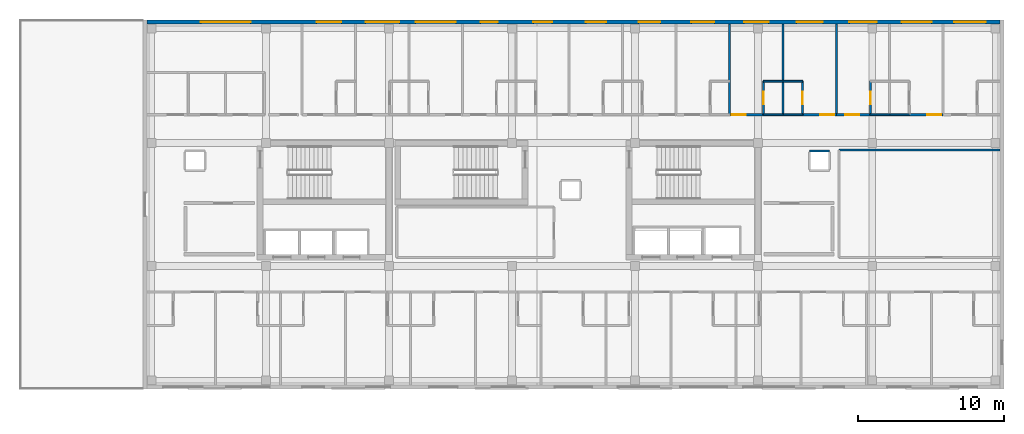
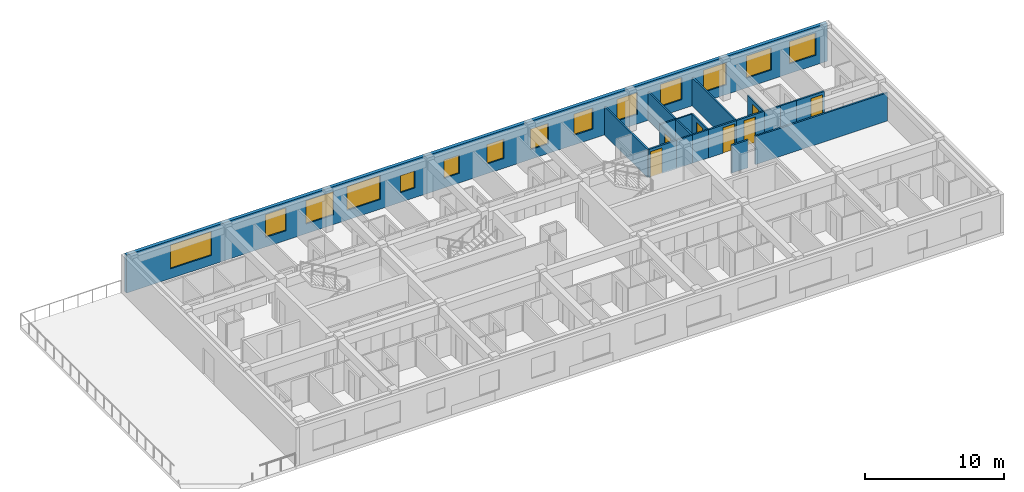
# One storey, part 7 of 10: 19 walls, 14 windows, 7 doors, 21 openings.
"""IFC4 building model written with IfcOpenShell, lengths in metres."""

from ifc_helpers import new_model, si_unit, direction, frame, frame_2d, origin, place, context, subcontext, project, spatial, rectangle, extrude, material, layer, layer_set, type_object, element, fill, save


model = new_model("IFC4")

# Units and contexts
model_context = context("Model", 3, precision=1e-05, world=origin(), true_north=direction((0.0, 1.0)))
body_context = subcontext(model_context, "Body", "Model", "MODEL_VIEW")
ifc_project = project(units=[si_unit("LENGTHUNIT", "METRE"), si_unit("AREAUNIT", "SQUARE_METRE"), si_unit("VOLUMEUNIT", "CUBIC_METRE"), si_unit("PLANEANGLEUNIT", "RADIAN"), si_unit("MASSUNIT", "GRAM", prefix="KILO")], contexts=[model_context])

# Site, building, storey
site_placement = place(None, origin())
site = spatial("IfcSite", under=ifc_project, at=site_placement, CompositionType="ELEMENT")
building_placement = place(site_placement, origin())
building = spatial("IfcBuilding", under=site, at=building_placement, Name="Zayran Congress Hotel", CompositionType="ELEMENT")
storey_placement = place(building_placement, frame((0.0, 0.0, 33.60009765625)))
storey = spatial("IfcBuildingStorey", under=building, at=storey_placement, Name="L08", CompositionType="ELEMENT", Elevation=33.60009765625)

# Wall, openings, windows
ifc_material_1 = material(Name="Hajar Ma'ani limestone cavity wall and concrete C32/40", Category="masonry")
ifc_layer_1 = layer(ifc_material_1, 0.280029296875)
ifc_layer_set_1 = layer_set([ifc_layer_1], Name="Hajar Ma'ani limestone cavity wall and concrete C32/40")
wall_type_1 = type_object("IfcWallType", Name="WL-EX-280", PredefinedType="SOLIDWALL", material=ifc_layer_set_1)
wall_1_placement = place(storey_placement, frame((17.080078125, 33.860107421875, 0.0), z_axis=(0.0, 0.0, 1.0), x_axis=(1.0, 0.0, 0.0)))
wall_1 = element("IfcWall", 1, at=wall_1_placement, inside=storey, type_object=wall_type_1, Name="EW-V5-N-L08", PredefinedType="SOLIDWALL", context=body_context, shape_type="SweptSolid", body=[
    extrude(rectangle(XDim=58.239990234375, YDim=0.280029296875, at=frame_2d((29.1201171875, 0.0))), origin(), (0.0, 0.0, 1.0), 3.33984375),
])
opening_1_placement = place(wall_1_placement, frame((3.669921875, 0.0, 0.85009765625)))
opening_1 = element("IfcOpeningElement", 2, at=opening_1_placement, cuts=wall_1, Name="Opening WN-45", PredefinedType="OPENING", context=body_context, shape_type="SweptSolid", body=[
    extrude(rectangle(XDim=3.39990234375, YDim=2.10009765625, at=frame_2d((1.699951171875, 1.050048828125))), frame((0.0, 0.14990234375, 0.0), z_axis=(0.0, -1.0, 0.0), x_axis=(1.0, 0.0, 0.0)), (0.0, 0.0, 1.0), 0.300048828125),
])
opening_2_placement = place(wall_1_placement, frame((11.573974609375, 0.0, 0.85009765625)))
opening_2 = element("IfcOpeningElement", 3, at=opening_2_placement, cuts=wall_1, Name="Opening WN-27", PredefinedType="OPENING", context=body_context, shape_type="SweptSolid", body=[
    extrude(rectangle(XDim=1.699951171875, YDim=2.0, at=frame_2d((0.85009765625, 1.0))), frame((0.0, 0.14990234375, 0.0), z_axis=(0.0, -1.0, 0.0), x_axis=(1.0, 0.0, 0.0)), (0.0, 0.0, 1.0), 0.300048828125),
])
opening_3_placement = place(wall_1_placement, frame((14.9208984375, 0.0, 0.85009765625)))
opening_3 = element("IfcOpeningElement", 4, at=opening_3_placement, cuts=wall_1, Name="Opening WN-28", PredefinedType="OPENING", context=body_context, shape_type="SweptSolid", body=[
    extrude(rectangle(XDim=2.300048828125, YDim=2.050048828125, at=frame_2d((1.14990234375, 1.02490234375))), frame((0.0, 0.14990234375, 0.0), z_axis=(0.0, -1.0, 0.0), x_axis=(1.0, 0.0, 0.0)), (0.0, 0.0, 1.0), 0.300048828125),
])
opening_4_placement = place(wall_1_placement, frame((18.343994140625, 0.0, 0.85009765625)))
opening_4 = element("IfcOpeningElement", 5, at=opening_4_placement, cuts=wall_1, Name="Opening WN-29", PredefinedType="OPENING", context=body_context, shape_type="SweptSolid", body=[
    extrude(rectangle(XDim=2.75, YDim=2.10009765625, at=frame_2d((1.375, 1.050048828125))), frame((0.0, 0.14990234375, 0.0), z_axis=(0.0, -1.0, 0.0), x_axis=(1.0, 0.0, 0.0)), (0.0, 0.0, 1.0), 0.300048828125),
])
opening_5_placement = place(wall_1_placement, frame((22.777099609375, 0.0, 0.85009765625)))
opening_5 = element("IfcOpeningElement", 6, at=opening_5_placement, cuts=wall_1, Name="Opening WN-31", PredefinedType="OPENING", context=body_context, shape_type="SweptSolid", body=[
    extrude(rectangle(XDim=1.179931640625, YDim=1.5, at=frame_2d((0.58984375, 0.75))), frame((0.0, 0.14990234375, 0.0), z_axis=(0.0, -1.0, 0.0), x_axis=(1.0, 0.0, 0.0)), (0.0, 0.0, 1.0), 0.300048828125),
])
opening_6_placement = place(wall_1_placement, frame((26.3740234375, 0.0, 0.85009765625)))
opening_6 = element("IfcOpeningElement", 7, at=opening_6_placement, cuts=wall_1, Name="Opening WN-32", PredefinedType="OPENING", context=body_context, shape_type="SweptSolid", body=[
    extrude(rectangle(XDim=1.280029296875, YDim=1.60009765625, at=frame_2d((0.64013671875, 0.800048828125))), frame((0.0, 0.14990234375, 0.0), z_axis=(0.0, -1.0, 0.0), x_axis=(1.0, 0.0, 0.0)), (0.0, 0.0, 1.0), 0.300048828125),
])
opening_7_placement = place(wall_1_placement, frame((29.971923828125, 0.0, 0.85009765625)))
opening_7 = element("IfcOpeningElement", 8, at=opening_7_placement, cuts=wall_1, Name="Opening WN-33", PredefinedType="OPENING", context=body_context, shape_type="SweptSolid", body=[
    extrude(rectangle(XDim=1.3798828125, YDim=1.699951171875, at=frame_2d((0.68994140625, 0.85009765625))), frame((0.0, 0.14990234375, 0.0), z_axis=(0.0, -1.0, 0.0), x_axis=(1.0, 0.0, 0.0)), (0.0, 0.0, 1.0), 0.300048828125),
])
opening_8_placement = place(wall_1_placement, frame((33.570068359375, 0.0, 0.85009765625)))
opening_8 = element("IfcOpeningElement", 9, at=opening_8_placement, cuts=wall_1, Name="Opening WN-34", PredefinedType="OPENING", context=body_context, shape_type="SweptSolid", body=[
    extrude(rectangle(XDim=1.47998046875, YDim=1.800048828125, at=frame_2d((0.739990234375, 0.89990234375))), frame((0.0, 0.14990234375, 0.0), z_axis=(0.0, -1.0, 0.0), x_axis=(1.0, 0.0, 0.0)), (0.0, 0.0, 1.0), 0.300048828125),
])
opening_9_placement = place(wall_1_placement, frame((37.16796875, 0.0, 0.85009765625)))
opening_9 = element("IfcOpeningElement", 10, at=opening_9_placement, cuts=wall_1, Name="Opening WN-35", PredefinedType="OPENING", context=body_context, shape_type="SweptSolid", body=[
    extrude(rectangle(XDim=1.580078125, YDim=1.85009765625, at=frame_2d((0.7900390625, 0.925048828125))), frame((0.0, 0.14990234375, 0.0), z_axis=(0.0, -1.0, 0.0), x_axis=(1.0, 0.0, 0.0)), (0.0, 0.0, 1.0), 0.300048828125),
])
opening_10_placement = place(wall_1_placement, frame((40.76611328125, 0.0, 0.85009765625)))
opening_10 = element("IfcOpeningElement", 11, at=opening_10_placement, cuts=wall_1, Name="Opening WN-36", PredefinedType="OPENING", context=body_context, shape_type="SweptSolid", body=[
    extrude(rectangle(XDim=1.679931640625, YDim=1.89990234375, at=frame_2d((0.83984375, 0.949951171875))), frame((0.0, 0.14990234375, 0.0), z_axis=(0.0, -1.0, 0.0), x_axis=(1.0, 0.0, 0.0)), (0.0, 0.0, 1.0), 0.300048828125),
])
opening_11_placement = place(wall_1_placement, frame((44.363037109375, 0.0, 0.85009765625)))
opening_11 = element("IfcOpeningElement", 12, at=opening_11_placement, cuts=wall_1, Name="Opening WN-37", PredefinedType="OPENING", context=body_context, shape_type="SweptSolid", body=[
    extrude(rectangle(XDim=1.780029296875, YDim=1.949951171875, at=frame_2d((0.89013671875, 0.97509765625))), frame((0.0, 0.14990234375, 0.0), z_axis=(0.0, -1.0, 0.0), x_axis=(1.0, 0.0, 0.0)), (0.0, 0.0, 1.0), 0.300048828125),
])
opening_12_placement = place(wall_1_placement, frame((47.9609375, 0.0, 0.85009765625)))
opening_12 = element("IfcOpeningElement", 13, at=opening_12_placement, cuts=wall_1, Name="Opening WN-38", PredefinedType="OPENING", context=body_context, shape_type="SweptSolid", body=[
    extrude(rectangle(XDim=1.8798828125, YDim=1.949951171875, at=frame_2d((0.93994140625, 0.97509765625))), frame((0.0, 0.14990234375, 0.0), z_axis=(0.0, -1.0, 0.0), x_axis=(1.0, 0.0, 0.0)), (0.0, 0.0, 1.0), 0.300048828125),
])
opening_13_placement = place(wall_1_placement, frame((51.52392578125, 0.0, 0.85009765625)))
opening_13 = element("IfcOpeningElement", 14, at=opening_13_placement, cuts=wall_1, Name="Opening WN-39", PredefinedType="OPENING", context=body_context, shape_type="SweptSolid", body=[
    extrude(rectangle(XDim=2.050048828125, YDim=1.949951171875, at=frame_2d((1.02490234375, 0.97509765625))), frame((0.0, 0.14990234375, 0.0), z_axis=(0.0, -1.0, 0.0), x_axis=(1.0, 0.0, 0.0)), (0.0, 0.0, 1.0), 0.300048828125),
])
opening_14_placement = place(wall_1_placement, frame((55.10595703125, 0.0, 0.85009765625)))
opening_14 = element("IfcOpeningElement", 15, at=opening_14_placement, cuts=wall_1, Name="Opening WN-40", PredefinedType="OPENING", context=body_context, shape_type="SweptSolid", body=[
    extrude(rectangle(XDim=2.179931640625, YDim=1.949951171875, at=frame_2d((1.08984375, 0.97509765625))), frame((0.0, 0.14990234375, 0.0), z_axis=(0.0, -1.0, 0.0), x_axis=(1.0, 0.0, 0.0)), (0.0, 0.0, 1.0), 0.300048828125),
])
ifc_material_2 = material(Name="Anodised aluminium and low-E insulated glass", Category="aluminium")
window_type_1 = type_object("IfcWindowType", Name="TP-WN-27", PartitioningType="DOUBLE_PANEL_VERTICAL", PredefinedType="WINDOW", material=ifc_material_2)
window_1_placement = place(opening_2_placement, origin())
window_1 = element("IfcWindow", 16, at=window_1_placement, inside=storey, type_object=window_type_1, Name="WIN-V5N-L08-0404", OverallHeight=2.0, OverallWidth=1.699951171875, PartitioningType="SINGLE_PANEL", PredefinedType="WINDOW", context=body_context, shape_type="SweptSolid", body=[
    extrude(rectangle(XDim=1.699951171875, YDim=2.0, at=frame_2d((0.85009765625, 1.0))), frame((0.0, 0.030029296875, 0.0), z_axis=(0.0, -1.0, 0.0), x_axis=(1.0, 0.0, 0.0)), (0.0, 0.0, 1.0), 0.06005859375),
])
fill(opening_2, window_1)
window_type_2 = type_object("IfcWindowType", Name="TP-WN-28", PartitioningType="DOUBLE_PANEL_VERTICAL", PredefinedType="WINDOW", material=ifc_material_2)
window_2_placement = place(opening_3_placement, origin())
window_2 = element("IfcWindow", 17, at=window_2_placement, inside=storey, type_object=window_type_2, Name="WIN-V5N-L08-0405", OverallHeight=2.050048828125, OverallWidth=2.300048828125, PartitioningType="SINGLE_PANEL", PredefinedType="WINDOW", context=body_context, shape_type="SweptSolid", body=[
    extrude(rectangle(XDim=2.300048828125, YDim=2.050048828125, at=frame_2d((1.14990234375, 1.02490234375))), frame((0.0, 0.030029296875, 0.0), z_axis=(0.0, -1.0, 0.0), x_axis=(1.0, 0.0, 0.0)), (0.0, 0.0, 1.0), 0.06005859375),
])
fill(opening_3, window_2)
window_type_3 = type_object("IfcWindowType", Name="TP-WN-29", PartitioningType="TRIPLE_PANEL_VERTICAL", PredefinedType="WINDOW", material=ifc_material_2)
window_3_placement = place(opening_4_placement, origin())
window_3 = element("IfcWindow", 18, at=window_3_placement, inside=storey, type_object=window_type_3, Name="WIN-V5N-L08-0406", OverallHeight=2.10009765625, OverallWidth=2.75, PartitioningType="SINGLE_PANEL", PredefinedType="WINDOW", context=body_context, shape_type="SweptSolid", body=[
    extrude(rectangle(XDim=2.75, YDim=2.10009765625, at=frame_2d((1.375, 1.050048828125))), frame((0.0, 0.030029296875, 0.0), z_axis=(0.0, -1.0, 0.0), x_axis=(1.0, 0.0, 0.0)), (0.0, 0.0, 1.0), 0.06005859375),
])
fill(opening_4, window_3)
window_type_4 = type_object("IfcWindowType", Name="TP-WN-31", PartitioningType="SINGLE_PANEL", PredefinedType="WINDOW", material=ifc_material_2)
window_4_placement = place(opening_5_placement, origin())
window_4 = element("IfcWindow", 19, at=window_4_placement, inside=storey, type_object=window_type_4, Name="WIN-V5N-L08-0407", OverallHeight=1.5, OverallWidth=1.179931640625, PartitioningType="SINGLE_PANEL", PredefinedType="WINDOW", context=body_context, shape_type="SweptSolid", body=[
    extrude(rectangle(XDim=1.179931640625, YDim=1.5, at=frame_2d((0.58984375, 0.75))), frame((0.0, 0.030029296875, 0.0), z_axis=(0.0, -1.0, 0.0), x_axis=(1.0, 0.0, 0.0)), (0.0, 0.0, 1.0), 0.06005859375),
])
fill(opening_5, window_4)
window_type_5 = type_object("IfcWindowType", Name="TP-WN-32", PartitioningType="SINGLE_PANEL", PredefinedType="WINDOW", material=ifc_material_2)
window_5_placement = place(opening_6_placement, origin())
window_5 = element("IfcWindow", 20, at=window_5_placement, inside=storey, type_object=window_type_5, Name="WIN-V5N-L08-0408", OverallHeight=1.60009765625, OverallWidth=1.280029296875, PartitioningType="SINGLE_PANEL", PredefinedType="WINDOW", context=body_context, shape_type="SweptSolid", body=[
    extrude(rectangle(XDim=1.280029296875, YDim=1.60009765625, at=frame_2d((0.64013671875, 0.800048828125))), frame((0.0, 0.030029296875, 0.0), z_axis=(0.0, -1.0, 0.0), x_axis=(1.0, 0.0, 0.0)), (0.0, 0.0, 1.0), 0.06005859375),
])
fill(opening_6, window_5)
window_type_6 = type_object("IfcWindowType", Name="TP-WN-33", PartitioningType="SINGLE_PANEL", PredefinedType="WINDOW", material=ifc_material_2)
window_6_placement = place(opening_7_placement, origin())
window_6 = element("IfcWindow", 21, at=window_6_placement, inside=storey, type_object=window_type_6, Name="WIN-V5N-L08-0409", OverallHeight=1.699951171875, OverallWidth=1.3798828125, PartitioningType="SINGLE_PANEL", PredefinedType="WINDOW", context=body_context, shape_type="SweptSolid", body=[
    extrude(rectangle(XDim=1.3798828125, YDim=1.699951171875, at=frame_2d((0.68994140625, 0.85009765625))), frame((0.0, 0.030029296875, 0.0), z_axis=(0.0, -1.0, 0.0), x_axis=(1.0, 0.0, 0.0)), (0.0, 0.0, 1.0), 0.06005859375),
])
fill(opening_7, window_6)
window_type_7 = type_object("IfcWindowType", Name="TP-WN-34", PartitioningType="SINGLE_PANEL", PredefinedType="WINDOW", material=ifc_material_2)
window_7_placement = place(opening_8_placement, origin())
window_7 = element("IfcWindow", 22, at=window_7_placement, inside=storey, type_object=window_type_7, Name="WIN-V5N-L08-0410", OverallHeight=1.800048828125, OverallWidth=1.47998046875, PartitioningType="SINGLE_PANEL", PredefinedType="WINDOW", context=body_context, shape_type="SweptSolid", body=[
    extrude(rectangle(XDim=1.47998046875, YDim=1.800048828125, at=frame_2d((0.739990234375, 0.89990234375))), frame((0.0, 0.030029296875, 0.0), z_axis=(0.0, -1.0, 0.0), x_axis=(1.0, 0.0, 0.0)), (0.0, 0.0, 1.0), 0.06005859375),
])
fill(opening_8, window_7)
window_type_8 = type_object("IfcWindowType", Name="TP-WN-35", PartitioningType="DOUBLE_PANEL_VERTICAL", PredefinedType="WINDOW", material=ifc_material_2)
window_8_placement = place(opening_9_placement, origin())
window_8 = element("IfcWindow", 23, at=window_8_placement, inside=storey, type_object=window_type_8, Name="WIN-V5N-L08-0411", OverallHeight=1.85009765625, OverallWidth=1.580078125, PartitioningType="SINGLE_PANEL", PredefinedType="WINDOW", context=body_context, shape_type="SweptSolid", body=[
    extrude(rectangle(XDim=1.580078125, YDim=1.85009765625, at=frame_2d((0.7900390625, 0.925048828125))), frame((0.0, 0.030029296875, 0.0), z_axis=(0.0, -1.0, 0.0), x_axis=(1.0, 0.0, 0.0)), (0.0, 0.0, 1.0), 0.06005859375),
])
fill(opening_9, window_8)
window_type_9 = type_object("IfcWindowType", Name="TP-WN-36", PartitioningType="DOUBLE_PANEL_VERTICAL", PredefinedType="WINDOW", material=ifc_material_2)
window_9_placement = place(opening_10_placement, origin())
window_9 = element("IfcWindow", 24, at=window_9_placement, inside=storey, type_object=window_type_9, Name="WIN-V5N-L08-0412", OverallHeight=1.89990234375, OverallWidth=1.679931640625, PartitioningType="SINGLE_PANEL", PredefinedType="WINDOW", context=body_context, shape_type="SweptSolid", body=[
    extrude(rectangle(XDim=1.679931640625, YDim=1.89990234375, at=frame_2d((0.83984375, 0.949951171875))), frame((0.0, 0.030029296875, 0.0), z_axis=(0.0, -1.0, 0.0), x_axis=(1.0, 0.0, 0.0)), (0.0, 0.0, 1.0), 0.06005859375),
])
fill(opening_10, window_9)
window_type_10 = type_object("IfcWindowType", Name="TP-WN-37", PartitioningType="DOUBLE_PANEL_VERTICAL", PredefinedType="WINDOW", material=ifc_material_2)
window_10_placement = place(opening_11_placement, origin())
window_10 = element("IfcWindow", 25, at=window_10_placement, inside=storey, type_object=window_type_10, Name="WIN-V5N-L08-0413", OverallHeight=1.949951171875, OverallWidth=1.780029296875, PartitioningType="SINGLE_PANEL", PredefinedType="WINDOW", context=body_context, shape_type="SweptSolid", body=[
    extrude(rectangle(XDim=1.780029296875, YDim=1.949951171875, at=frame_2d((0.89013671875, 0.97509765625))), frame((0.0, 0.030029296875, 0.0), z_axis=(0.0, -1.0, 0.0), x_axis=(1.0, 0.0, 0.0)), (0.0, 0.0, 1.0), 0.06005859375),
])
fill(opening_11, window_10)
window_type_11 = type_object("IfcWindowType", Name="TP-WN-38", PartitioningType="DOUBLE_PANEL_VERTICAL", PredefinedType="WINDOW", material=ifc_material_2)
window_11_placement = place(opening_12_placement, origin())
window_11 = element("IfcWindow", 26, at=window_11_placement, inside=storey, type_object=window_type_11, Name="WIN-V5N-L08-0414", OverallHeight=1.949951171875, OverallWidth=1.8798828125, PartitioningType="SINGLE_PANEL", PredefinedType="WINDOW", context=body_context, shape_type="SweptSolid", body=[
    extrude(rectangle(XDim=1.8798828125, YDim=1.949951171875, at=frame_2d((0.93994140625, 0.97509765625))), frame((0.0, 0.030029296875, 0.0), z_axis=(0.0, -1.0, 0.0), x_axis=(1.0, 0.0, 0.0)), (0.0, 0.0, 1.0), 0.06005859375),
])
fill(opening_12, window_11)
window_type_12 = type_object("IfcWindowType", Name="TP-WN-39", PartitioningType="DOUBLE_PANEL_VERTICAL", PredefinedType="WINDOW", material=ifc_material_2)
window_12_placement = place(opening_13_placement, origin())
window_12 = element("IfcWindow", 27, at=window_12_placement, inside=storey, type_object=window_type_12, Name="WIN-V5N-L08-0415", OverallHeight=1.949951171875, OverallWidth=2.050048828125, PartitioningType="SINGLE_PANEL", PredefinedType="WINDOW", context=body_context, shape_type="SweptSolid", body=[
    extrude(rectangle(XDim=2.050048828125, YDim=1.949951171875, at=frame_2d((1.02490234375, 0.97509765625))), frame((0.0, 0.030029296875, 0.0), z_axis=(0.0, -1.0, 0.0), x_axis=(1.0, 0.0, 0.0)), (0.0, 0.0, 1.0), 0.06005859375),
])
fill(opening_13, window_12)
window_type_13 = type_object("IfcWindowType", Name="TP-WN-40", PartitioningType="DOUBLE_PANEL_VERTICAL", PredefinedType="WINDOW", material=ifc_material_2)
window_13_placement = place(opening_14_placement, origin())
window_13 = element("IfcWindow", 28, at=window_13_placement, inside=storey, type_object=window_type_13, Name="WIN-V5N-L08-0416", OverallHeight=1.949951171875, OverallWidth=2.179931640625, PartitioningType="SINGLE_PANEL", PredefinedType="WINDOW", context=body_context, shape_type="SweptSolid", body=[
    extrude(rectangle(XDim=2.179931640625, YDim=1.949951171875, at=frame_2d((1.08984375, 0.97509765625))), frame((0.0, 0.030029296875, 0.0), z_axis=(0.0, -1.0, 0.0), x_axis=(1.0, 0.0, 0.0)), (0.0, 0.0, 1.0), 0.06005859375),
])
fill(opening_14, window_13)
window_type_14 = type_object("IfcWindowType", Name="TP-WN-45", PartitioningType="TRIPLE_PANEL_VERTICAL", PredefinedType="WINDOW", material=ifc_material_2)
window_14_placement = place(opening_1_placement, origin())
window_14 = element("IfcWindow", 29, at=window_14_placement, inside=storey, type_object=window_type_14, Name="WIN-V5N-L08-0403", OverallHeight=2.10009765625, OverallWidth=3.39990234375, PartitioningType="SINGLE_PANEL", PredefinedType="WINDOW", context=body_context, shape_type="SweptSolid", body=[
    extrude(rectangle(XDim=3.39990234375, YDim=2.10009765625, at=frame_2d((1.699951171875, 1.050048828125))), frame((0.0, 0.030029296875, 0.0), z_axis=(0.0, -1.0, 0.0), x_axis=(1.0, 0.0, 0.0)), (0.0, 0.0, 1.0), 0.06005859375),
])
fill(opening_1, window_14)

# Wall, opening, door
ifc_material_3 = material(Name="Hospitality guestroom acoustic partition", Category="gypsum")
ifc_layer_2 = layer(ifc_material_3, 0.139892578125)
ifc_layer_set_2 = layer_set([ifc_layer_2], Name="Hospitality guestroom acoustic partition")
wall_type_2 = type_object("IfcWallType", Name="WL-PT-140", PredefinedType="PARTITIONING", material=ifc_layer_set_2)
wall_2_placement = place(storey_placement, frame((56.8720703125, 27.530029296875, 0.0), z_axis=(0.0, 0.0, 1.0), x_axis=(1.0, 0.0, 0.0)))
wall_2 = element("IfcWall", 30, at=wall_2_placement, inside=storey, type_object=wall_type_2, Name="IW-L08-0779", PredefinedType="PARTITIONING", context=body_context, shape_type="SweptSolid", body=[
    extrude(rectangle(XDim=2.306884765625, YDim=0.139892578125, at=frame_2d((1.1533203125, 0.0))), origin(), (0.0, 0.0, 1.0), 2.47998046875),
])
opening_15_placement = place(wall_2_placement, frame((0.139892578125, 0.0, 0.0)))
opening_15 = element("IfcOpeningElement", 31, at=opening_15_placement, cuts=wall_2, Name="Opening DR-GR-03", PredefinedType="OPENING", context=body_context, shape_type="SweptSolid", body=[
    extrude(rectangle(XDim=0.9599609375, YDim=2.25, at=frame_2d((0.47998046875, 1.125))), frame((0.0, 0.079833984375, 0.0), z_axis=(0.0, -1.0, 0.0), x_axis=(1.0, 0.0, 0.0)), (0.0, 0.0, 1.0), 0.159912109375),
])
ifc_material_4 = material(Name="Executive walnut veneer entry door", Category="wood")
door_type_1 = type_object("IfcDoorType", Name="TP-DR-GR-03", OperationType="NOTDEFINED", PredefinedType="DOOR", material=ifc_material_4)
door_1_placement = place(opening_15_placement, origin())
door_1 = element("IfcDoor", 32, at=door_1_placement, inside=storey, type_object=door_type_1, Name="Guest Room L08-22 Door", OperationType="SINGLE_SWING_RIGHT", OverallHeight=2.25, OverallWidth=0.9599609375, PredefinedType="DOOR", context=body_context, shape_type="SweptSolid", body=[
    extrude(rectangle(XDim=0.9599609375, YDim=2.25, at=frame_2d((0.47998046875, 1.125))), frame((0.0, 0.02490234375, 0.0), z_axis=(0.0, -1.0, 0.0), x_axis=(1.0, 0.0, 0.0)), (0.0, 0.0, 1.0), 0.050048828125),
])
fill(opening_15, door_1)

wall_3_placement = place(storey_placement, frame((61.839111328125, 27.530029296875, 0.0), z_axis=(0.0, 0.0, 1.0), x_axis=(1.0, 0.0, 0.0)))
wall_3 = element("IfcWall", 33, at=wall_3_placement, inside=storey, type_object=wall_type_2, Name="IW-L08-0780", PredefinedType="PARTITIONING", context=body_context, shape_type="SweptSolid", body=[
    extrude(rectangle(XDim=2.307861328125, YDim=0.139892578125, at=frame_2d((1.15380859375, 0.0))), origin(), (0.0, 0.0, 1.0), 2.47998046875),
])
opening_16_placement = place(wall_3_placement, frame((1.2080078125, 0.0, 0.0)))
opening_16 = element("IfcOpeningElement", 34, at=opening_16_placement, cuts=wall_3, Name="Opening DR-GR-03", PredefinedType="OPENING", context=body_context, shape_type="SweptSolid", body=[
    extrude(rectangle(XDim=0.9599609375, YDim=2.25, at=frame_2d((0.47998046875, 1.125))), frame((0.0, 0.079833984375, 0.0), z_axis=(0.0, -1.0, 0.0), x_axis=(1.0, 0.0, 0.0)), (0.0, 0.0, 1.0), 0.159912109375),
])
door_2_placement = place(opening_16_placement, origin())
door_2 = element("IfcDoor", 35, at=door_2_placement, inside=storey, type_object=door_type_1, Name="Guest Room L08-23 Door", OperationType="SINGLE_SWING_LEFT", OverallHeight=2.25, OverallWidth=0.9599609375, PredefinedType="DOOR", context=body_context, shape_type="SweptSolid", body=[
    extrude(rectangle(XDim=0.9599609375, YDim=2.25, at=frame_2d((0.47998046875, 1.125))), frame((0.0, 0.02490234375, 0.0), z_axis=(0.0, -1.0, 0.0), x_axis=(1.0, 0.0, 0.0)), (0.0, 0.0, 1.0), 0.050048828125),
])
fill(opening_16, door_2)

wall_4_placement = place(storey_placement, frame((64.1669921875, 27.530029296875, 0.0), z_axis=(0.0, 0.0, 1.0), x_axis=(1.0, 0.0, 0.0)))
wall_4 = element("IfcWall", 36, at=wall_4_placement, inside=storey, type_object=wall_type_2, Name="IW-L08-0781", PredefinedType="PARTITIONING", context=body_context, shape_type="SweptSolid", body=[
    extrude(rectangle(XDim=2.30810546875, YDim=0.139892578125, at=frame_2d((1.154052734375, 0.0))), origin(), (0.0, 0.0, 1.0), 2.47998046875),
])
opening_17_placement = place(wall_4_placement, frame((0.597900390625, 0.0, 0.0)))
opening_17 = element("IfcOpeningElement", 37, at=opening_17_placement, cuts=wall_4, Name="Opening DR-GR-03", PredefinedType="OPENING", context=body_context, shape_type="SweptSolid", body=[
    extrude(rectangle(XDim=0.9599609375, YDim=2.25, at=frame_2d((0.47998046875, 1.125))), frame((0.0, 0.079833984375, 0.0), z_axis=(0.0, -1.0, 0.0), x_axis=(1.0, 0.0, 0.0)), (0.0, 0.0, 1.0), 0.159912109375),
])
door_3_placement = place(opening_17_placement, origin())
door_3 = element("IfcDoor", 38, at=door_3_placement, inside=storey, type_object=door_type_1, Name="Guest Room L08-24 Door", OperationType="SINGLE_SWING_RIGHT", OverallHeight=2.25, OverallWidth=0.9599609375, PredefinedType="DOOR", context=body_context, shape_type="SweptSolid", body=[
    extrude(rectangle(XDim=0.9599609375, YDim=2.25, at=frame_2d((0.47998046875, 1.125))), frame((0.0, 0.02490234375, 0.0), z_axis=(0.0, -1.0, 0.0), x_axis=(1.0, 0.0, 0.0)), (0.0, 0.0, 1.0), 0.050048828125),
])
fill(opening_17, door_3)

wall_5_placement = place(storey_placement, frame((69.135009765625, 27.530029296875, 0.0), z_axis=(0.0, 0.0, 1.0), x_axis=(1.0, 0.0, 0.0)))
wall_5 = element("IfcWall", 39, at=wall_5_placement, inside=storey, type_object=wall_type_2, Name="IW-L08-0782", PredefinedType="PARTITIONING", context=body_context, shape_type="SweptSolid", body=[
    extrude(rectangle(XDim=2.306884765625, YDim=0.139892578125, at=frame_2d((1.1533203125, 0.0))), origin(), (0.0, 0.0, 1.0), 2.47998046875),
])
opening_18_placement = place(wall_5_placement, frame((1.20703125, 0.0, 0.0)))
opening_18 = element("IfcOpeningElement", 40, at=opening_18_placement, cuts=wall_5, Name="Opening DR-GR-03", PredefinedType="OPENING", context=body_context, shape_type="SweptSolid", body=[
    extrude(rectangle(XDim=0.9599609375, YDim=2.25, at=frame_2d((0.47998046875, 1.125))), frame((0.0, 0.079833984375, 0.0), z_axis=(0.0, -1.0, 0.0), x_axis=(1.0, 0.0, 0.0)), (0.0, 0.0, 1.0), 0.159912109375),
])
door_4_placement = place(opening_18_placement, origin())
door_4 = element("IfcDoor", 41, at=door_4_placement, inside=storey, type_object=door_type_1, Name="Guest Room L08-25 Door", OperationType="SINGLE_SWING_LEFT", OverallHeight=2.25, OverallWidth=0.9599609375, PredefinedType="DOOR", context=body_context, shape_type="SweptSolid", body=[
    extrude(rectangle(XDim=0.9599609375, YDim=2.25, at=frame_2d((0.47998046875, 1.125))), frame((0.0, 0.02490234375, 0.0), z_axis=(0.0, -1.0, 0.0), x_axis=(1.0, 0.0, 0.0)), (0.0, 0.0, 1.0), 0.050048828125),
])
fill(opening_18, door_4)

# Walls
wall_6_placement = place(storey_placement, frame((64.320068359375, 25.1201171875, 0.0), z_axis=(0.0, 0.0, 1.0), x_axis=(1.0, 0.0, 0.0)))
element("IfcWall", 42, at=wall_6_placement, inside=storey, type_object=wall_type_2, Name="IW-L08-2089", PredefinedType="PARTITIONING", context=body_context, shape_type="SweptSolid", body=[
    extrude(rectangle(XDim=11.0, YDim=0.139892578125, at=frame_2d((5.5, 0.0))), origin(), (0.0, 0.0, 1.0), 2.47998046875),
])
for number, where, z_axis, x_axis, name in (
    (43, (56.85205078125, 27.52001953125, 0.0), (0.0, 0.0, 1.0), (0.0, 1.0, 0.0), "IW-L08-2112"),
    (44, (60.4990234375, 27.52001953125, 0.0), (0.0, 0.0, 1.0), (0.0, 1.0, 0.0), "IW-L08-2113"),
    (45, (64.14697265625, 27.52001953125, 0.0), (0.0, 0.0, 1.0), (0.0, 1.0, 0.0), "IW-L08-2114"),
):
    element("IfcWall", number, at=place(storey_placement, frame(where, z_axis=z_axis, x_axis=x_axis)), inside=storey, type_object=wall_type_2, Name=name, PredefinedType="PARTITIONING", context=body_context, shape_type="SweptSolid", body=[
        extrude(rectangle(XDim=6.199951171875, YDim=0.139892578125, at=frame_2d((3.10009765625, 0.0))), origin(), (0.0, 0.0, 1.0), 2.47998046875),
    ])
wall_7_placement = place(storey_placement, frame((63.68994140625, 25.050048828125, 0.0), z_axis=(0.0, 0.0, 1.0), x_axis=(-1.0, 0.0, 0.0)))
element("IfcWall", 46, at=wall_7_placement, inside=storey, type_object=wall_type_2, Name="RSWL-V5-L08-049-N", PredefinedType="PARTITIONING", context=body_context, shape_type="SweptSolid", body=[
    extrude(rectangle(XDim=1.35986328125, YDim=0.139892578125, at=frame_2d((0.679931640625, 0.0))), origin(), (0.0, 0.0, 1.0), 2.43994140625),
])

# Wall, opening, door
ifc_material_5 = material(Name="Moisture-resistant bathroom partition", Category="gypsum")
ifc_layer_3 = layer(ifc_material_5, 0.1201171875)
ifc_layer_set_3 = layer_set([ifc_layer_3], Name="Moisture-resistant bathroom partition")
wall_type_3 = type_object("IfcWallType", Name="WL-PT-120", PredefinedType="PARTITIONING", material=ifc_layer_set_3)
wall_8_placement = place(storey_placement, frame((59.178955078125, 27.52001953125, 0.0), z_axis=(0.0, 0.0, 1.0), x_axis=(0.0, 1.0, 0.0)))
wall_8 = element("IfcWall", 47, at=wall_8_placement, inside=storey, type_object=wall_type_3, Name="IW-L08-0266", PredefinedType="PARTITIONING", context=body_context, shape_type="SweptSolid", body=[
    extrude(rectangle(XDim=2.31005859375, YDim=0.1201171875, at=frame_2d((1.155029296875, 0.0))), origin(), (0.0, 0.0, 1.0), 2.47998046875),
])
opening_19_placement = place(wall_8_placement, frame((0.715087890625, 0.0, 0.0)))
opening_19 = element("IfcOpeningElement", 48, at=opening_19_placement, cuts=wall_8, Name="Opening DR-BT-01", PredefinedType="OPENING", context=body_context, shape_type="SweptSolid", body=[
    extrude(rectangle(XDim=0.8798828125, YDim=2.14990234375, at=frame_2d((0.43994140625, 1.074951171875))), frame((0.0, 0.070068359375, 0.0), z_axis=(0.0, -1.0, 0.0), x_axis=(1.0, 0.0, 0.0)), (0.0, 0.0, 1.0), 0.14013671875),
])
ifc_material_6 = material(Name="Moisture-resistant oak en-suite door", Category="wood")
door_type_2 = type_object("IfcDoorType", Name="TP-DR-BT-01", OperationType="NOTDEFINED", PredefinedType="DOOR", material=ifc_material_6)
door_5_placement = place(opening_19_placement, origin())
door_5 = element("IfcDoor", 49, at=door_5_placement, inside=storey, type_object=door_type_2, Name="En-Suite Bathroom L08-22 Door", OperationType="SINGLE_SWING_LEFT", OverallHeight=2.14990234375, OverallWidth=0.8798828125, PredefinedType="DOOR", context=body_context, shape_type="SweptSolid", body=[
    extrude(rectangle(XDim=0.8798828125, YDim=2.14990234375, at=frame_2d((0.43994140625, 1.074951171875))), frame((0.0, 0.02490234375, 0.0), z_axis=(0.0, -1.0, 0.0), x_axis=(1.0, 0.0, 0.0)), (0.0, 0.0, 1.0), 0.050048828125),
])
fill(opening_19, door_5)

wall_9_placement = place(storey_placement, frame((61.839111328125, 27.52001953125, 0.0), z_axis=(0.0, 0.0, 1.0), x_axis=(0.0, 1.0, 0.0)))
wall_9 = element("IfcWall", 50, at=wall_9_placement, inside=storey, type_object=wall_type_3, Name="IW-L08-0267", PredefinedType="PARTITIONING", context=body_context, shape_type="SweptSolid", body=[
    extrude(rectangle(XDim=2.31005859375, YDim=0.1201171875, at=frame_2d((1.155029296875, 0.0))), origin(), (0.0, 0.0, 1.0), 2.47998046875),
])
opening_20_placement = place(wall_9_placement, frame((0.715087890625, 0.0, 0.0)))
opening_20 = element("IfcOpeningElement", 51, at=opening_20_placement, cuts=wall_9, Name="Opening DR-BT-01", PredefinedType="OPENING", context=body_context, shape_type="SweptSolid", body=[
    extrude(rectangle(XDim=0.8798828125, YDim=2.14990234375, at=frame_2d((0.43994140625, 1.074951171875))), frame((0.0, 0.070068359375, 0.0), z_axis=(0.0, -1.0, 0.0), x_axis=(1.0, 0.0, 0.0)), (0.0, 0.0, 1.0), 0.14013671875),
])
door_6_placement = place(opening_20_placement, origin())
door_6 = element("IfcDoor", 52, at=door_6_placement, inside=storey, type_object=door_type_2, Name="En-Suite Bathroom L08-23 Door", OperationType="SINGLE_SWING_RIGHT", OverallHeight=2.14990234375, OverallWidth=0.8798828125, PredefinedType="DOOR", context=body_context, shape_type="SweptSolid", body=[
    extrude(rectangle(XDim=0.8798828125, YDim=2.14990234375, at=frame_2d((0.43994140625, 1.074951171875))), frame((0.0, 0.02490234375, 0.0), z_axis=(0.0, -1.0, 0.0), x_axis=(1.0, 0.0, 0.0)), (0.0, 0.0, 1.0), 0.050048828125),
])
fill(opening_20, door_6)

wall_10_placement = place(storey_placement, frame((66.47509765625, 27.52001953125, 0.0), z_axis=(0.0, 0.0, 1.0), x_axis=(0.0, 1.0, 0.0)))
wall_10 = element("IfcWall", 53, at=wall_10_placement, inside=storey, type_object=wall_type_3, Name="IW-L08-0268", PredefinedType="PARTITIONING", context=body_context, shape_type="SweptSolid", body=[
    extrude(rectangle(XDim=2.31005859375, YDim=0.1201171875, at=frame_2d((1.155029296875, 0.0))), origin(), (0.0, 0.0, 1.0), 2.47998046875),
])
opening_21_placement = place(wall_10_placement, frame((0.715087890625, 0.0, 0.0)))
opening_21 = element("IfcOpeningElement", 54, at=opening_21_placement, cuts=wall_10, Name="Opening DR-BT-01", PredefinedType="OPENING", context=body_context, shape_type="SweptSolid", body=[
    extrude(rectangle(XDim=0.8798828125, YDim=2.14990234375, at=frame_2d((0.43994140625, 1.074951171875))), frame((0.0, 0.070068359375, 0.0), z_axis=(0.0, -1.0, 0.0), x_axis=(1.0, 0.0, 0.0)), (0.0, 0.0, 1.0), 0.14013671875),
])
door_7_placement = place(opening_21_placement, origin())
door_7 = element("IfcDoor", 55, at=door_7_placement, inside=storey, type_object=door_type_2, Name="En-Suite Bathroom L08-24 Door", OperationType="SINGLE_SWING_LEFT", OverallHeight=2.14990234375, OverallWidth=0.8798828125, PredefinedType="DOOR", context=body_context, shape_type="SweptSolid", body=[
    extrude(rectangle(XDim=0.8798828125, YDim=2.14990234375, at=frame_2d((0.43994140625, 1.074951171875))), frame((0.0, 0.02490234375, 0.0), z_axis=(0.0, -1.0, 0.0), x_axis=(1.0, 0.0, 0.0)), (0.0, 0.0, 1.0), 0.050048828125),
])
fill(opening_21, door_7)

# Walls
wall_11_placement = place(storey_placement, frame((59.178955078125, 27.530029296875, 0.0), z_axis=(0.0, 0.0, 1.0), x_axis=(1.0, 0.0, 0.0)))
element("IfcWall", 56, at=wall_11_placement, inside=storey, type_object=wall_type_3, Name="IW-L08-1399", PredefinedType="PARTITIONING", context=body_context, shape_type="SweptSolid", body=[
    extrude(rectangle(XDim=1.330078125, YDim=0.1201171875, at=frame_2d((0.6650390625, 0.0))), origin(), (0.0, 0.0, 1.0), 2.47998046875),
])
for number, where, z_axis, x_axis, name in (
    (57, (59.1689453125, 29.820068359375, 0.0), (0.0, 0.0, 1.0), (1.0, 0.0, 0.0), "IW-L08-1400"),
    (58, (60.509033203125, 27.530029296875, 0.0), (0.0, 0.0, 1.0), (1.0, 0.0, 0.0), "IW-L08-1401"),
    (59, (60.509033203125, 29.820068359375, 0.0), (0.0, 0.0, 1.0), (1.0, 0.0, 0.0), "IW-L08-1402"),
):
    element("IfcWall", number, at=place(storey_placement, frame(where, z_axis=z_axis, x_axis=x_axis)), inside=storey, type_object=wall_type_3, Name=name, PredefinedType="PARTITIONING", context=body_context, shape_type="SweptSolid", body=[
        extrude(rectangle(XDim=1.340087890625, YDim=0.1201171875, at=frame_2d((0.669921875, 0.0))), origin(), (0.0, 0.0, 1.0), 2.47998046875),
    ])
wall_12_placement = place(storey_placement, frame((66.465087890625, 27.530029296875, 0.0), z_axis=(0.0, 0.0, 1.0), x_axis=(1.0, 0.0, 0.0)))
element("IfcWall", 60, at=wall_12_placement, inside=storey, type_object=wall_type_3, Name="IW-L08-1403", PredefinedType="PARTITIONING", context=body_context, shape_type="SweptSolid", body=[
    extrude(rectangle(XDim=1.33984375, YDim=0.1201171875, at=frame_2d((0.669921875, 0.0))), origin(), (0.0, 0.0, 1.0), 2.47998046875),
])
wall_13_placement = place(storey_placement, frame((67.804931640625, 27.530029296875, 0.0), z_axis=(0.0, 0.0, 1.0), x_axis=(1.0, 0.0, 0.0)))
element("IfcWall", 61, at=wall_13_placement, inside=storey, type_object=wall_type_3, Name="IW-L08-1405", PredefinedType="PARTITIONING", context=body_context, shape_type="SweptSolid", body=[
    extrude(rectangle(XDim=1.340087890625, YDim=0.1201171875, at=frame_2d((0.669921875, 0.0))), origin(), (0.0, 0.0, 1.0), 2.47998046875),
])

save(model, "model.ifc")
